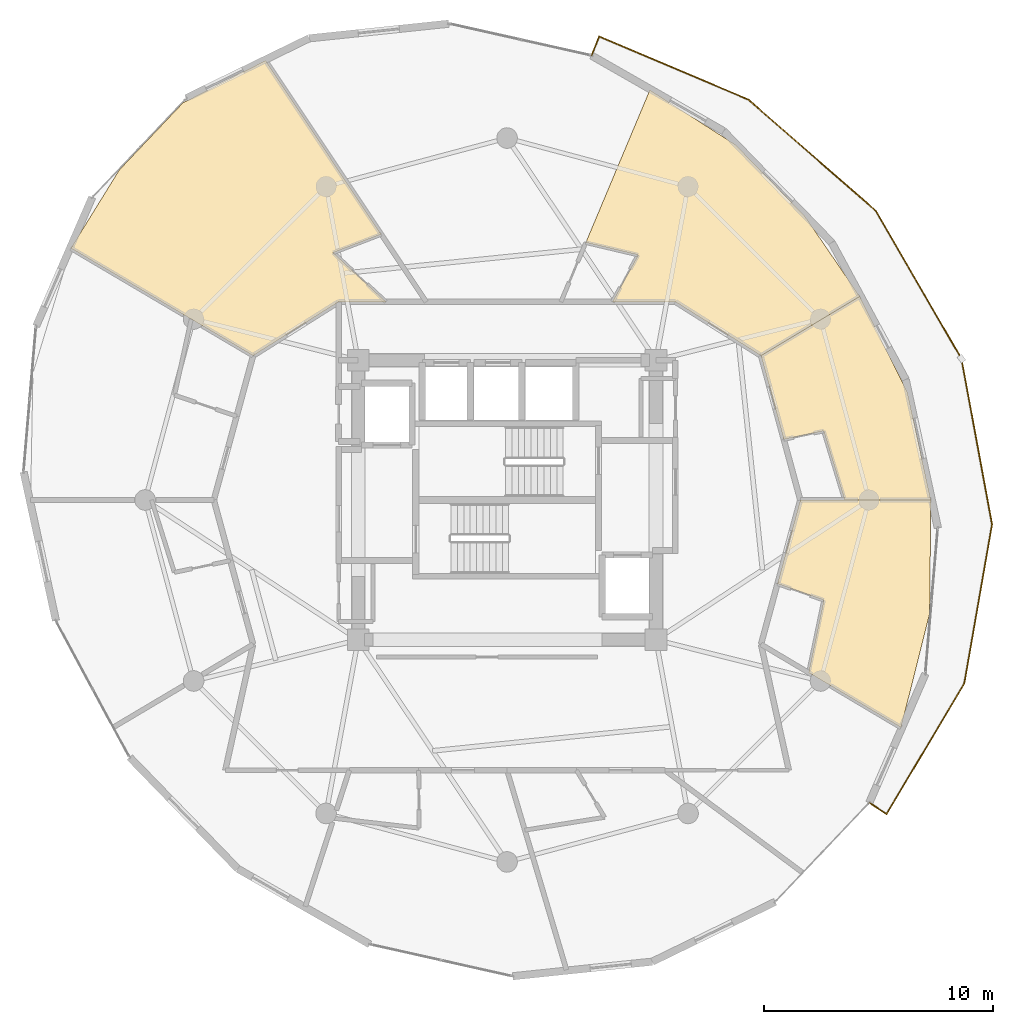
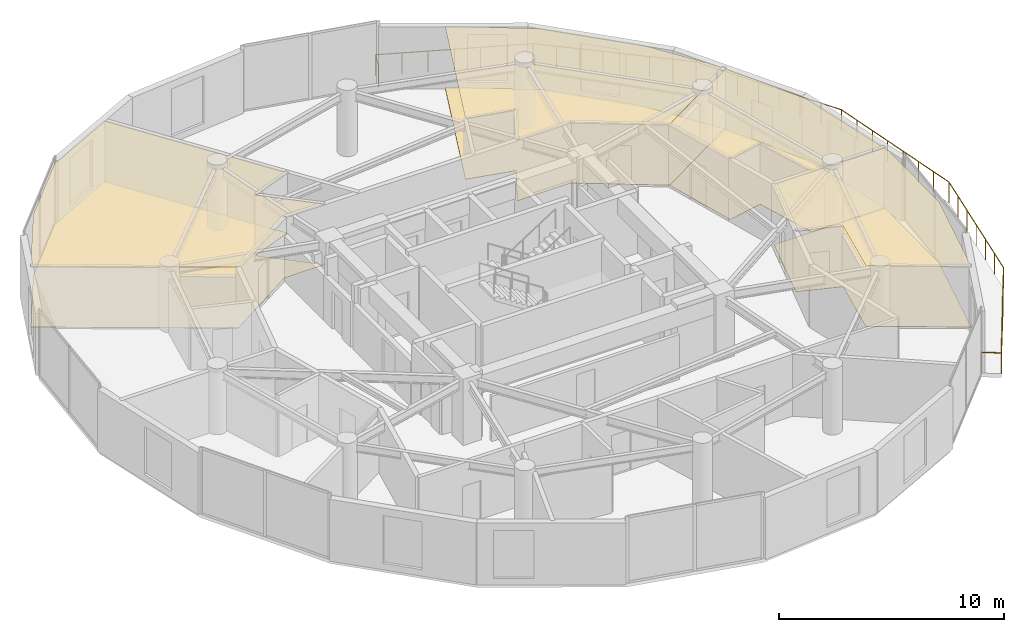
# One storey, part 23 of 23: 8 coverings, 1 railing.
"""IFC4 building model written with IfcOpenShell, lengths in metres."""

from ifc_helpers import new_model, si_unit, direction, frame, origin, origin_2d, place, context, subcontext, project, spatial, polyline, circle, outline, extrude, material, layer, layer_set, type_object, element, save


model = new_model("IFC4")

# Units and contexts
model_context = context("Model", 3, precision=1e-05, world=origin(), true_north=direction((0.0, 1.0)))
body_context = subcontext(model_context, "Body", "Model", "MODEL_VIEW")
ifc_project = project(units=[si_unit("LENGTHUNIT", "METRE"), si_unit("AREAUNIT", "SQUARE_METRE"), si_unit("VOLUMEUNIT", "CUBIC_METRE"), si_unit("PLANEANGLEUNIT", "RADIAN"), si_unit("MASSUNIT", "GRAM", prefix="KILO")], contexts=[model_context])

# Site, building, storey
site_placement = place(None, origin())
site = spatial("IfcSite", under=ifc_project, at=site_placement, CompositionType="ELEMENT")
building_placement = place(site_placement, origin())
building = spatial("IfcBuilding", under=site, at=building_placement, Name="Solvirekh Grand Hotel", CompositionType="ELEMENT")
storey_placement = place(building_placement, frame((0.0, 0.0, 176.800048828125)))
storey = spatial("IfcBuildingStorey", under=building, at=storey_placement, Name="L45", CompositionType="ELEMENT", Elevation=176.800048828125)

# Coverings
ifc_material_1 = material(Name="Acoustic Mineral Ceiling Tile")
ifc_layer_1 = layer(ifc_material_1, 0.02490234375)
ifc_layer_set_1 = layer_set([ifc_layer_1], Name="Acoustic Mineral Ceiling Tile")
covering_type_1 = type_object("IfcCoveringType", Name="Cov_Ceiling_Acoustic", PredefinedType="CEILING", material=ifc_layer_set_1)
covering_1_placement = place(storey_placement, frame((0.0, 0.0, 3.31005859375)))
element("IfcCovering", 1, at=covering_1_placement, inside=storey, type_object=covering_type_1, Name="L45 Deluxe Guestroom 4701 acoustic ceiling", PredefinedType="CEILING", context=body_context, shape_type="SweptSolid", body=[
    extrude(outline(polyline([(2.35205078125, 8.64990234375), (3.43896484375, 11.239013671875), (5.721923828125, 10.698974609375), (4.60205078125, 8.64990234375), (7.35009765625, 8.64990234375), (11.0849609375, 6.300048828125), (15.39404296875, 8.887939453125), (13.0029296875, 12.382080078125), (9.986083984375, 15.4951171875), (6.23291015625, 17.89794921875), (2.35205078125, 8.64990234375)])), origin(), (0.0, 0.0, 1.0), 0.017822265625),
])
covering_2_placement = place(storey_placement, frame((0.0, 0.0, 3.31005859375)))
element("IfcCovering", 2, at=covering_2_placement, inside=storey, type_object=covering_type_1, Name="L45 Deluxe Guestroom 4702 acoustic ceiling", PredefinedType="CEILING", context=body_context, shape_type="SweptSolid", body=[
    extrude(outline(polyline([(-5.285888671875, 8.64990234375), (-7.591064453125, 10.7958984375), (-5.492919921875, 11.60009765625), (-10.5458984375, 19.18408203125), (-14.14306640625, 17.342041015625), (-16.927001953125, 14.406005859375), (-19.037109375, 10.990966796875), (-11.0849609375, 6.300048828125), (-7.35009765625, 8.64990234375), (-5.285888671875, 8.64990234375)])), origin(), (0.0, 0.0, 1.0), 0.017822265625),
])
covering_3_placement = place(storey_placement, frame((0.0, 0.0, 3.31005859375)))
element("IfcCovering", 3, at=covering_3_placement, inside=storey, type_object=covering_type_1, Name="L45 Deluxe Guestroom 4705 acoustic ceiling", PredefinedType="CEILING", context=body_context, shape_type="SweptSolid", body=[
    extrude(outline(polyline([(13.824951171875, -4.3701171875), (13.1640625, -7.533935546875), (17.198974609375, -9.929931640625), (18.447021484375, -4.943115234375), (18.4990234375, 0.0), (12.800048828125, 0.0), (11.804931640625, -3.654052734375), (13.824951171875, -4.3701171875)])), origin(), (0.0, 0.0, 1.0), 0.017822265625),
])
covering_4_placement = place(storey_placement, frame((0.0, 0.0, 3.31005859375)))
element("IfcCovering", 4, at=covering_4_placement, inside=storey, type_object=covering_type_1, Name="L45 Deluxe Guestroom 4706 acoustic ceiling", PredefinedType="CEILING", context=body_context, shape_type="SweptSolid", body=[
    extrude(outline(polyline([(13.819091796875, 3.01611328125), (14.738037109375, 0.0), (18.4990234375, 0.0), (17.48193359375, 4.68408203125), (15.39404296875, 8.887939453125), (11.0849609375, 6.300048828125), (12.080078125, 2.64599609375), (13.819091796875, 3.01611328125)])), origin(), (0.0, 0.0, 1.0), 0.017822265625),
])
ifc_material_2 = material(Name="Porcelain Stoneware Flooring", Category="masonry")
ifc_layer_2 = layer(ifc_material_2, 0.030029296875)
ifc_layer_set_2 = layer_set([ifc_layer_2], Name="Porcelain Stoneware Flooring")
covering_type_2 = type_object("IfcCoveringType", Name="Cov_Floor_Stone", PredefinedType="FLOORING", material=ifc_layer_set_2)
covering_5_placement = place(storey_placement, origin())
element("IfcCovering", 5, at=covering_5_placement, inside=storey, type_object=covering_type_2, Name="L45 Deluxe Guestroom 4701 polished granite flooring", PredefinedType="FLOORING", context=body_context, shape_type="SweptSolid", body=[
    extrude(outline(polyline([(2.35205078125, 8.64990234375), (3.43896484375, 11.239013671875), (5.721923828125, 10.698974609375), (4.60205078125, 8.64990234375), (7.35009765625, 8.64990234375), (11.0849609375, 6.300048828125), (15.39404296875, 8.887939453125), (13.0029296875, 12.382080078125), (9.986083984375, 15.4951171875), (6.23291015625, 17.89794921875), (2.35205078125, 8.64990234375)])), origin(), (0.0, 0.0, 1.0), 0.02001953125),
])
covering_6_placement = place(storey_placement, origin())
element("IfcCovering", 6, at=covering_6_placement, inside=storey, type_object=covering_type_2, Name="L45 Deluxe Guestroom 4702 polished granite flooring", PredefinedType="FLOORING", context=body_context, shape_type="SweptSolid", body=[
    extrude(outline(polyline([(-5.285888671875, 8.64990234375), (-7.591064453125, 10.7958984375), (-5.492919921875, 11.60009765625), (-10.5458984375, 19.18408203125), (-14.14306640625, 17.342041015625), (-16.927001953125, 14.406005859375), (-19.037109375, 10.990966796875), (-11.0849609375, 6.300048828125), (-7.35009765625, 8.64990234375), (-5.285888671875, 8.64990234375)])), origin(), (0.0, 0.0, 1.0), 0.02001953125),
])
covering_7_placement = place(storey_placement, origin())
element("IfcCovering", 7, at=covering_7_placement, inside=storey, type_object=covering_type_2, Name="L45 Deluxe Guestroom 4705 polished granite flooring", PredefinedType="FLOORING", context=body_context, shape_type="SweptSolid", body=[
    extrude(outline(polyline([(13.824951171875, -4.3701171875), (13.1640625, -7.533935546875), (17.198974609375, -9.929931640625), (18.447021484375, -4.943115234375), (18.4990234375, 0.0), (12.800048828125, 0.0), (11.804931640625, -3.654052734375), (13.824951171875, -4.3701171875)])), origin(), (0.0, 0.0, 1.0), 0.02001953125),
])
covering_8_placement = place(storey_placement, origin())
element("IfcCovering", 8, at=covering_8_placement, inside=storey, type_object=covering_type_2, Name="L45 Deluxe Guestroom 4706 polished granite flooring", PredefinedType="FLOORING", context=body_context, shape_type="SweptSolid", body=[
    extrude(outline(polyline([(13.819091796875, 3.01611328125), (14.738037109375, 0.0), (18.4990234375, 0.0), (17.48193359375, 4.68408203125), (15.39404296875, 8.887939453125), (11.0849609375, 6.300048828125), (12.080078125, 2.64599609375), (13.819091796875, 3.01611328125)])), origin(), (0.0, 0.0, 1.0), 0.02001953125),
])

# Railing
ifc_material_3 = material(Name="Anodized Bronze Aluminium 6063-T6", Category="aluminium")
railing_type = type_object("IfcRailingType", Name="Guard_ExtGlass_1150", PredefinedType="BALUSTRADE", material=ifc_material_3)
railing_placement = place(storey_placement, frame((15.81396484375, -13.212890625, 0.0)))
element("IfcRailing", 9, at=railing_placement, inside=storey, type_object=railing_type, Name="L45 balc perimeter glass balustrade", PredefinedType="BALUSTRADE", context=body_context, shape_type="SweptSolid", body=[
    extrude(circle(Radius=0.02392578125, at=origin_2d()), frame((0.0, 0.0, 1.1259765625), z_axis=(0.835207319197, -0.549935208874, 0.0), x_axis=(0.549935208874, 0.835207319197, 0.0)), (0.0, 0.0, 1.0), 0.900390625),
    extrude(circle(Radius=0.02392578125, at=origin_2d()), frame((0.751953125, -0.4951171875, 1.1259765625), z_axis=(0.511790135665, 0.859110503391, 0.0), x_axis=(-0.859110503391, 0.511790135665, 0.0)), (0.0, 0.0, 1.0), 6.6279296875),
    extrude(circle(Radius=0.02392578125, at=origin_2d()), frame((4.14404296875, 5.198974609375, 1.1259765625), z_axis=(0.172110840588, 0.985077590118, 0.0), x_axis=(-0.985077590118, 0.172110840588, 0.0)), (0.0, 0.0, 1.0), 7.05419921875),
    extrude(circle(Radius=0.02392578125, at=origin_2d()), frame((5.358154296875, 12.14794921875, 1.1259765625), z_axis=(-0.181790922719, 0.983337205854, 0.0), x_axis=(-0.983337205854, -0.181790922719, 0.0)), (0.0, 0.0, 1.0), 7.35546875),
    extrude(circle(Radius=0.02392578125, at=origin_2d()), frame((4.02099609375, 19.380859375, 1.1259765625), z_axis=(-0.501336253249, 0.86525254185, 0.0), x_axis=(-0.86525254185, -0.501336253249, 0.0)), (0.0, 0.0, 1.0), 7.47412109375),
    extrude(circle(Radius=0.02392578125, at=origin_2d()), frame((0.27392578125, 25.847900390625, 1.1259765625), z_axis=(-0.753776511915, 0.657130862222, 0.0), x_axis=(-0.657130862222, -0.753776511915, 0.0)), (0.0, 0.0, 1.0), 7.37890625),
    extrude(circle(Radius=0.02392578125, at=origin_2d()), frame((-5.2880859375, 30.69677734375, 1.1259765625), z_axis=(-0.921023513433, 0.389506980302, 0.0), x_axis=(-0.389506980302, -0.921023513433, 0.0)), (0.0, 0.0, 1.0), 7.06591796875),
    extrude(circle(Radius=0.02392578125, at=origin_2d()), frame((-11.7958984375, 33.448974609375, 1.1259765625), z_axis=(-0.364552752471, -0.931182737526, 0.0), x_axis=(0.931182737526, -0.364552752471, 0.0)), (0.0, 0.0, 1.0), 0.900146484375),
    extrude(circle(Radius=0.02099609375, at=origin_2d()), origin(), (0.0, 0.0, 1.0), 1.101806640625),
    extrude(circle(Radius=0.02099609375, at=origin_2d()), frame((0.751953125, -0.4951171875, 0.0)), (0.0, 0.0, 1.0), 1.101806640625),
    extrude(circle(Radius=0.02099609375, at=origin_2d()), frame((1.3173828125, 0.453857421875, 0.0)), (0.0, 0.0, 1.0), 1.101806640625),
    extrude(circle(Radius=0.02099609375, at=origin_2d()), frame((1.882568359375, 1.40283203125, 0.0)), (0.0, 0.0, 1.0), 1.101806640625),
    extrude(circle(Radius=0.02099609375, at=origin_2d()), frame((2.447998046875, 2.35205078125, 0.0)), (0.0, 0.0, 1.0), 1.101806640625),
    extrude(circle(Radius=0.02099609375, at=origin_2d()), frame((3.013427734375, 3.301025390625, 0.0)), (0.0, 0.0, 1.0), 1.101806640625),
    extrude(circle(Radius=0.02099609375, at=origin_2d()), frame((3.57861328125, 4.25, 0.0)), (0.0, 0.0, 1.0), 1.101806640625),
    extrude(circle(Radius=0.02099609375, at=origin_2d()), frame((4.14404296875, 5.198974609375, 0.0)), (0.0, 0.0, 1.0), 1.101806640625),
    extrude(circle(Radius=0.02099609375, at=origin_2d()), frame((4.346435546875, 6.357177734375, 0.0)), (0.0, 0.0, 1.0), 1.101806640625),
    extrude(circle(Radius=0.02099609375, at=origin_2d()), frame((4.548828125, 7.515380859375, 0.0)), (0.0, 0.0, 1.0), 1.101806640625),
    extrude(circle(Radius=0.02099609375, at=origin_2d()), frame((4.7509765625, 8.67333984375, 0.0)), (0.0, 0.0, 1.0), 1.101806640625),
    extrude(circle(Radius=0.02099609375, at=origin_2d()), frame((4.953369140625, 9.83154296875, 0.0)), (0.0, 0.0, 1.0), 1.101806640625),
    extrude(circle(Radius=0.02099609375, at=origin_2d()), frame((5.15576171875, 10.98974609375, 0.0)), (0.0, 0.0, 1.0), 1.101806640625),
    extrude(circle(Radius=0.02099609375, at=origin_2d()), frame((5.358154296875, 12.14794921875, 0.0)), (0.0, 0.0, 1.0), 1.101806640625),
    extrude(circle(Radius=0.02099609375, at=origin_2d()), frame((5.167236328125, 13.18115234375, 0.0)), (0.0, 0.0, 1.0), 1.101806640625),
    extrude(circle(Radius=0.02099609375, at=origin_2d()), frame((4.97607421875, 14.214599609375, 0.0)), (0.0, 0.0, 1.0), 1.101806640625),
    extrude(circle(Radius=0.02099609375, at=origin_2d()), frame((4.78515625, 15.247802734375, 0.0)), (0.0, 0.0, 1.0), 1.101806640625),
    extrude(circle(Radius=0.02099609375, at=origin_2d()), frame((4.593994140625, 16.281005859375, 0.0)), (0.0, 0.0, 1.0), 1.101806640625),
    extrude(circle(Radius=0.02099609375, at=origin_2d()), frame((4.403076171875, 17.314208984375, 0.0)), (0.0, 0.0, 1.0), 1.101806640625),
    extrude(circle(Radius=0.02099609375, at=origin_2d()), frame((4.2119140625, 18.34765625, 0.0)), (0.0, 0.0, 1.0), 1.101806640625),
    extrude(circle(Radius=0.02099609375, at=origin_2d()), frame((4.02099609375, 19.380859375, 0.0)), (0.0, 0.0, 1.0), 1.101806640625),
    extrude(circle(Radius=0.02099609375, at=origin_2d()), frame((3.485595703125, 20.3046875, 0.0)), (0.0, 0.0, 1.0), 1.101806640625),
    extrude(circle(Radius=0.02099609375, at=origin_2d()), frame((2.950439453125, 21.228515625, 0.0)), (0.0, 0.0, 1.0), 1.101806640625),
    extrude(circle(Radius=0.02099609375, at=origin_2d()), frame((2.4150390625, 22.15234375, 0.0)), (0.0, 0.0, 1.0), 1.101806640625),
    extrude(circle(Radius=0.02099609375, at=origin_2d()), frame((1.8798828125, 23.076416015625, 0.0)), (0.0, 0.0, 1.0), 1.101806640625),
    extrude(circle(Radius=0.02099609375, at=origin_2d()), frame((1.344482421875, 24.000244140625, 0.0)), (0.0, 0.0, 1.0), 1.101806640625),
    extrude(circle(Radius=0.02099609375, at=origin_2d()), frame((0.809326171875, 24.924072265625, 0.0)), (0.0, 0.0, 1.0), 1.101806640625),
    extrude(circle(Radius=0.02099609375, at=origin_2d()), frame((0.27392578125, 25.847900390625, 0.0)), (0.0, 0.0, 1.0), 1.101806640625),
    extrude(circle(Radius=0.02099609375, at=origin_2d()), frame((-0.520751953125, 26.54052734375, 0.0)), (0.0, 0.0, 1.0), 1.101806640625),
    extrude(circle(Radius=0.02099609375, at=origin_2d()), frame((-1.315185546875, 27.2333984375, 0.0)), (0.0, 0.0, 1.0), 1.101806640625),
    extrude(circle(Radius=0.02099609375, at=origin_2d()), frame((-2.10986328125, 27.926025390625, 0.0)), (0.0, 0.0, 1.0), 1.101806640625),
    extrude(circle(Radius=0.02099609375, at=origin_2d()), frame((-2.904296875, 28.61865234375, 0.0)), (0.0, 0.0, 1.0), 1.101806640625),
    extrude(circle(Radius=0.02099609375, at=origin_2d()), frame((-3.698974609375, 29.311279296875, 0.0)), (0.0, 0.0, 1.0), 1.101806640625),
    extrude(circle(Radius=0.02099609375, at=origin_2d()), frame((-4.493408203125, 30.004150390625, 0.0)), (0.0, 0.0, 1.0), 1.101806640625),
    extrude(circle(Radius=0.02099609375, at=origin_2d()), frame((-5.2880859375, 30.69677734375, 0.0)), (0.0, 0.0, 1.0), 1.101806640625),
    extrude(circle(Radius=0.02099609375, at=origin_2d()), frame((-6.372802734375, 31.155517578125, 0.0)), (0.0, 0.0, 1.0), 1.101806640625),
    extrude(circle(Radius=0.02099609375, at=origin_2d()), frame((-7.457275390625, 31.6142578125, 0.0)), (0.0, 0.0, 1.0), 1.101806640625),
    extrude(circle(Radius=0.02099609375, at=origin_2d()), frame((-8.5419921875, 32.07275390625, 0.0)), (0.0, 0.0, 1.0), 1.101806640625),
    extrude(circle(Radius=0.02099609375, at=origin_2d()), frame((-9.626708984375, 32.531494140625, 0.0)), (0.0, 0.0, 1.0), 1.101806640625),
    extrude(circle(Radius=0.02099609375, at=origin_2d()), frame((-10.711181640625, 32.990234375, 0.0)), (0.0, 0.0, 1.0), 1.101806640625),
    extrude(circle(Radius=0.02099609375, at=origin_2d()), frame((-11.7958984375, 33.448974609375, 0.0)), (0.0, 0.0, 1.0), 1.101806640625),
    extrude(circle(Radius=0.02099609375, at=origin_2d()), frame((-12.1240234375, 32.61083984375, 0.0)), (0.0, 0.0, 1.0), 1.101806640625),
])

save(model, "model.ifc")
